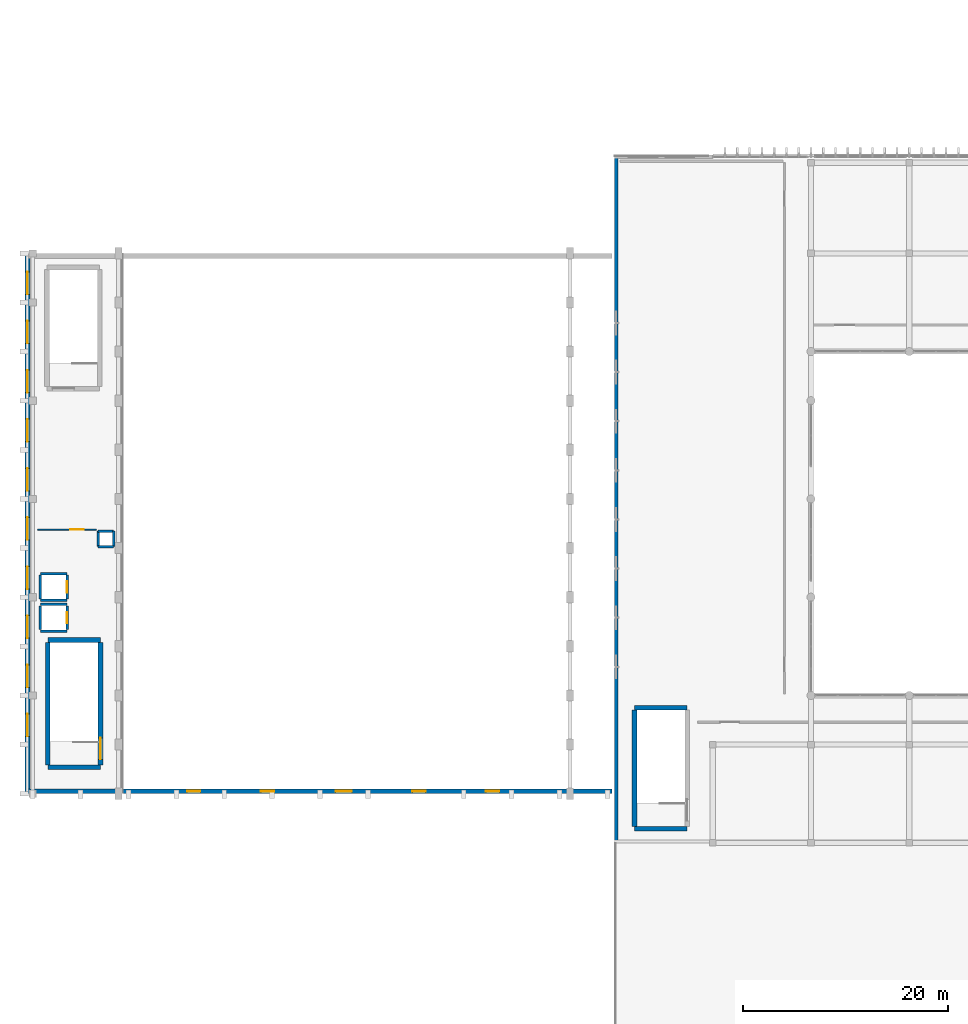
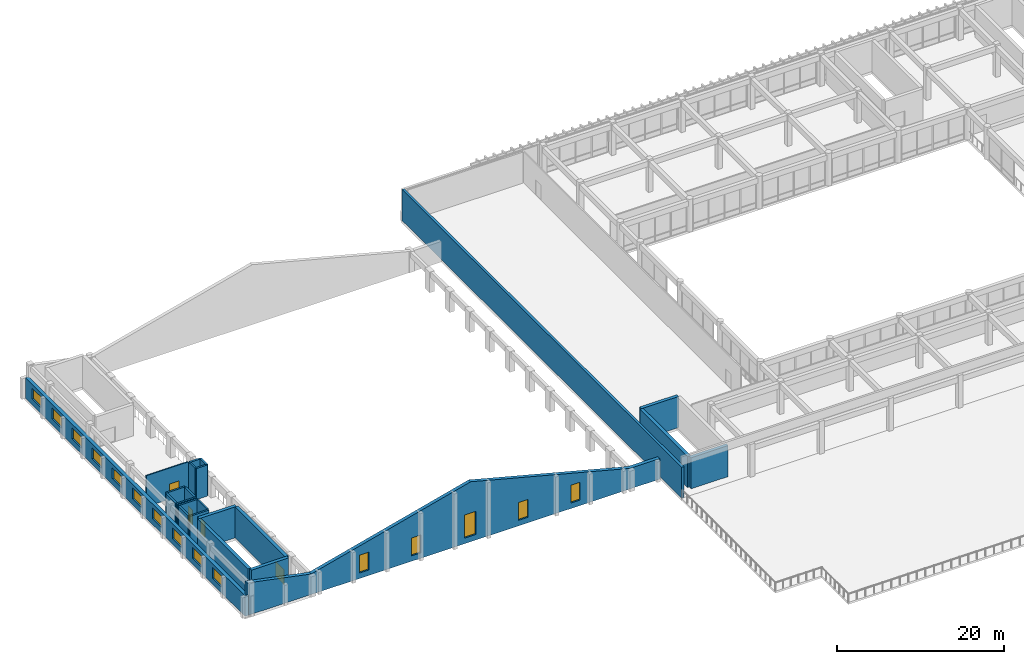
# One storey, part 72 of 101: 23 walls, 15 windows, 4 doors, 19 openings.
"""IFC4 building model written with IfcOpenShell, lengths in metres."""

from ifc_helpers import new_model, si_unit, direction, frame, frame_2d, origin, place, context, subcontext, project, spatial, polyline, rectangle, outline, extrude, material, layer, layer_set, type_object, element, fill, save


model = new_model("IFC4")

# Units and contexts
model_context = context("Model", 3, precision=1e-05, world=origin(), true_north=direction((0.0, 1.0)))
body_context = subcontext(model_context, "Body", "Model", "MODEL_VIEW")
ifc_project = project(units=[si_unit("LENGTHUNIT", "METRE"), si_unit("AREAUNIT", "SQUARE_METRE"), si_unit("VOLUMEUNIT", "CUBIC_METRE"), si_unit("PLANEANGLEUNIT", "RADIAN"), si_unit("MASSUNIT", "GRAM", prefix="KILO")], contexts=[model_context])

# Site, building, storey
site_placement = place(None, origin())
site = spatial("IfcSite", under=ifc_project, at=site_placement, CompositionType="ELEMENT")
building_placement = place(site_placement, origin())
building = spatial("IfcBuilding", under=site, at=building_placement, Name="Nakhvara Creek Congress Hotel", CompositionType="ELEMENT")
storey_placement = place(building_placement, frame((0.0, 0.0, 16.199951171875)))
storey = spatial("IfcBuildingStorey", under=building, at=storey_placement, Name="L03", CompositionType="ELEMENT", Elevation=16.199951171875)

# Wall, opening, door
ifc_material_1 = material(Name="Moisture-resistant blockwork and plaster", Category="masonry")
ifc_layer_1 = layer(ifc_material_1, 0.159912109375)
ifc_layer_set_1 = layer_set([ifc_layer_1], Name="Moisture-resistant blockwork and plaster")
wall_type_1 = type_object("IfcWallType", Name="W-BOH-160", PredefinedType="PARTITIONING", material=ifc_layer_set_1)
wall_1_placement = place(storey_placement, frame((1.199951171875, 59.39990234375, 0.0), z_axis=(0.0, 0.0, 1.0), x_axis=(1.0, 0.0, 0.0)))
wall_1 = element("IfcWall", 1, at=wall_1_placement, inside=storey, type_object=wall_type_1, Name="Interior Wall WP14-IW-L03-0215", PredefinedType="PARTITIONING", context=body_context, shape_type="SweptSolid", body=[
    extrude(rectangle(XDim=5.800048828125, YDim=0.159912109375, at=frame_2d((2.89990234375, 0.0))), origin(), (0.0, 0.0, 1.0), 4.5400390625),
])
opening_1_placement = place(wall_1_placement, frame((3.199951171875, 0.0, 0.0)))
opening_1 = element("IfcOpeningElement", 2, at=opening_1_placement, cuts=wall_1, Name="Opening ID05", PredefinedType="OPENING", context=body_context, shape_type="SweptSolid", body=[
    extrude(rectangle(XDim=1.35009765625, YDim=2.199951171875, at=frame_2d((0.675048828125, 1.10009765625))), frame((0.0, 0.091796875, 0.0), z_axis=(0.0, -1.0, 0.0), x_axis=(1.0, 0.0, 0.0)), (0.0, 0.0, 1.0), 0.183837890625),
])
ifc_material_2 = material(Name="Brushed stainless-clad BOH door")
door_type_1 = type_object("IfcDoorType", Name="DT-BOH-135", OperationType="NOTDEFINED", PredefinedType="DOOR", material=ifc_material_2)
door_1_placement = place(opening_1_placement, frame((1.35009765625, 0.0, 0.0), z_axis=(0.0, 0.0, 1.0), x_axis=(-1.0, 0.0, 0.0)))
door_1 = element("IfcDoor", 3, at=door_1_placement, inside=storey, type_object=door_type_1, Name="Interior Door ID05-0195", OperationType="SINGLE_SWING_RIGHT", OverallHeight=2.199951171875, OverallWidth=1.35009765625, PredefinedType="DOOR", context=body_context, shape_type="SweptSolid", body=[
    extrude(rectangle(XDim=1.35009765625, YDim=2.199951171875, at=frame_2d((0.675048828125, 1.10009765625))), frame((0.0, 0.02490234375, 0.0), z_axis=(0.0, -1.0, 0.0), x_axis=(1.0, 0.0, 0.0)), (0.0, 0.0, 1.0), 0.050048828125),
])
fill(opening_1, door_1)

# Walls
ifc_material_3 = material(Name="Concrete C50/60", Category="concrete")
ifc_layer_2 = layer(ifc_material_3, 0.449951171875)
ifc_layer_set_2 = layer_set([ifc_layer_2], Name="Concrete C50/60")
wall_type_2 = type_object("IfcWallType", Name="W-CORE-450", PredefinedType="SHEAR", material=ifc_layer_set_2)
for number, where, z_axis, x_axis, name in (
    (4, (2.22998046875, 36.179931640625, 0.0), (0.0, 0.0, 1.0), (1.0, 0.0, 0.0), "Core Shear Wall WS02-CWALL-L03-0769"),
    (5, (2.22998046875, 48.6201171875, 0.0), (0.0, 0.0, 1.0), (1.0, 0.0, 0.0), "Core Shear Wall WS02-CWALL-L03-0770"),
):
    element("IfcWall", number, at=place(storey_placement, frame(where, z_axis=z_axis, x_axis=x_axis)), inside=storey, type_object=wall_type_2, Name=name, PredefinedType="SHEAR", context=body_context, shape_type="SweptSolid", body=[
        extrude(rectangle(XDim=5.14990234375, YDim=0.449951171875, at=frame_2d((2.574951171875, 0.0))), origin(), (0.0, 0.0, 1.0), 4.5400390625),
    ])
wall_2_placement = place(storey_placement, frame((2.22998046875, 36.39990234375, 0.0), z_axis=(0.0, 0.0, 1.0), x_axis=(0.0, 1.0, 0.0)))
element("IfcWall", 6, at=wall_2_placement, inside=storey, type_object=wall_type_2, Name="Core Shear Wall WS02-CWALL-L03-0771", PredefinedType="SHEAR", context=body_context, shape_type="SweptSolid", body=[
    extrude(rectangle(XDim=12.0, YDim=0.449951171875, at=frame_2d((6.0, 0.0))), origin(), (0.0, 0.0, 1.0), 4.5400390625),
])

# Wall, opening, door
wall_3_placement = place(storey_placement, frame((7.3798828125, 36.39990234375, 0.0), z_axis=(0.0, 0.0, 1.0), x_axis=(0.0, 1.0, 0.0)))
wall_3 = element("IfcWall", 7, at=wall_3_placement, inside=storey, type_object=wall_type_2, Name="Core Shear Wall WS02-CWALL-L03-0772", PredefinedType="SHEAR", context=body_context, shape_type="SweptSolid", body=[
    extrude(rectangle(XDim=12.0, YDim=0.449951171875, at=frame_2d((6.0, 0.0))), origin(), (0.0, 0.0, 1.0), 4.5400390625),
])
opening_2_placement = place(wall_3_placement, frame((0.550048828125, 0.0, 0.0)))
opening_2 = element("IfcOpeningElement", 8, at=opening_2_placement, cuts=wall_3, Name="Opening FD19", PredefinedType="OPENING", context=body_context, shape_type="SweptSolid", body=[
    extrude(rectangle(XDim=2.10009765625, YDim=2.199951171875, at=frame_2d((1.050048828125, 1.10009765625))), frame((0.0, 0.23681640625, 0.0), z_axis=(0.0, -1.0, 0.0), x_axis=(1.0, 0.0, 0.0)), (0.0, 0.0, 1.0), 0.473876953125),
])
ifc_material_4 = material(Name="Galvanised steel acoustic fire door", Category="steel")
door_type_2 = type_object("IfcDoorType", Name="DT-STAIR-220", OperationType="DOUBLE_DOOR_SINGLE_SWING", PredefinedType="DOOR", material=ifc_material_4)
door_2_placement = place(opening_2_placement, frame((2.10009765625, 0.0, 0.0), z_axis=(0.0, 0.0, 1.0), x_axis=(-1.0, 0.0, 0.0)))
door_2 = element("IfcDoor", 9, at=door_2_placement, inside=storey, type_object=door_type_2, Name="Stair Exit Door ST05-L03", OperationType="DOUBLE_DOOR_SINGLE_SWING", OverallHeight=2.199951171875, OverallWidth=2.10009765625, PredefinedType="DOOR", context=body_context, shape_type="SweptSolid", body=[
    extrude(rectangle(XDim=2.10009765625, YDim=2.199951171875, at=frame_2d((1.050048828125, 1.10009765625))), frame((0.0, 0.02490234375, 0.0), z_axis=(0.0, -1.0, 0.0), x_axis=(1.0, 0.0, 0.0)), (0.0, 0.0, 1.0), 0.050048828125),
])
fill(opening_2, door_2)

# Walls
for number, where, z_axis, x_axis, name in (
    (10, (59.550048828125, 30.179931640625, 0.0), (0.0, 0.0, 1.0), (1.0, 0.0, 0.0), "Core Shear Wall WS02-CWALL-L03-0999"),
    (11, (59.550048828125, 42.02001953125, 0.0), (0.0, 0.0, 1.0), (1.0, 0.0, 0.0), "Core Shear Wall WS02-CWALL-L03-1000"),
):
    element("IfcWall", number, at=place(storey_placement, frame(where, z_axis=z_axis, x_axis=x_axis)), inside=storey, type_object=wall_type_2, Name=name, PredefinedType="SHEAR", context=body_context, shape_type="SweptSolid", body=[
        extrude(rectangle(XDim=5.14990234375, YDim=0.449951171875, at=frame_2d((2.574951171875, 0.0))), origin(), (0.0, 0.0, 1.0), 4.5400390625),
    ])
wall_4_placement = place(storey_placement, frame((59.550048828125, 30.39990234375, 0.0), z_axis=(0.0, 0.0, 1.0), x_axis=(0.0, 1.0, 0.0)))
element("IfcWall", 12, at=wall_4_placement, inside=storey, type_object=wall_type_2, Name="Core Shear Wall WS02-CWALL-L03-1001", PredefinedType="SHEAR", context=body_context, shape_type="SweptSolid", body=[
    extrude(rectangle(XDim=11.400146484375, YDim=0.449951171875, at=frame_2d((5.7001953125, 0.0))), origin(), (0.0, 0.0, 1.0), 4.5400390625),
])
ifc_material_5 = material(Name="Architectural GRC panel")
ifc_layer_3 = layer(ifc_material_5, 0.0400390625)
ifc_material_6 = material(Name="Mineral wool thermal insulation")
ifc_layer_4 = layer(ifc_material_6, 0.10009765625)
ifc_material_7 = material(Name="Precast concrete C40/50", Category="concrete")
ifc_layer_5 = layer(ifc_material_7, 0.199951171875)
ifc_layer_set_3 = layer_set([ifc_layer_3, ifc_layer_4, ifc_layer_5], Name="Precast concrete C40/50")
wall_type_3 = type_object("IfcWallType", Name="W-EXT-340", PredefinedType="SOLIDWALL", material=ifc_layer_set_3)
wall_5_placement = place(storey_placement, frame((57.77001953125, 28.800048828125, 0.0), z_axis=(0.0, 0.0, 1.0), x_axis=(0.0, 1.0, 0.0)))
element("IfcWall", 13, at=wall_5_placement, inside=storey, type_object=wall_type_3, Name="Exterior Wall WE04-EW-L03-0094", PredefinedType="SOLIDWALL", context=body_context, shape_type="SweptSolid", body=[
    extrude(rectangle(XDim=67.0, YDim=0.340087890625, at=frame_2d((33.5, 0.0))), origin(), (0.0, 0.0, 1.0), 4.5400390625),
])

# Wall, openings, windows
ifc_material_8 = material(Name="Honed pale Omani limestone cladding", Category="masonry")
ifc_layer_6 = layer(ifc_material_8, 0.06005859375)
ifc_layer_7 = layer(ifc_material_6, 0.1201171875)
ifc_layer_8 = layer(ifc_material_7, 0.300048828125)
ifc_layer_set_4 = layer_set([ifc_layer_6, ifc_layer_7, ifc_layer_8], Name="Precast concrete C40/50")
wall_type_4 = type_object("IfcWallType", Name="W-HALL-480", PredefinedType="SOLIDWALL", material=ifc_layer_set_4)
wall_6_placement = place(storey_placement, frame((0.239990234375, 33.60009765625, 0.0), z_axis=(0.0, 0.0, 1.0), x_axis=(0.0, 1.0, 0.0)))
wall_6 = element("IfcWall", 14, at=wall_6_placement, inside=storey, type_object=wall_type_4, Name="Exterior Wall WE01-EW-L03-0087", PredefinedType="SOLIDWALL", context=body_context, shape_type="SweptSolid", body=[
    extrude(rectangle(XDim=52.599853515625, YDim=0.47998046875, at=frame_2d((26.2998046875, 0.0))), origin(), (0.0, 0.0, 1.0), 3.0),
])
opening_3_placement = place(wall_6_placement, frame((5.60009765625, 0.0, 0.85009765625)))
opening_3 = element("IfcOpeningElement", 15, at=opening_3_placement, cuts=wall_6, Name="Opening WN0088", PredefinedType="OPENING", context=body_context, shape_type="SweptSolid", body=[
    extrude(rectangle(XDim=2.199951171875, YDim=1.60009765625, at=frame_2d((1.10009765625, 0.800048828125))), frame((0.0, 0.251953125, 0.0), z_axis=(0.0, -1.0, 0.0), x_axis=(1.0, 0.0, 0.0)), (0.0, 0.0, 1.0), 0.50390625),
])
opening_4_placement = place(wall_6_placement, frame((10.39990234375, 0.0, 0.85009765625)))
opening_4 = element("IfcOpeningElement", 16, at=opening_4_placement, cuts=wall_6, Name="Opening WN0089", PredefinedType="OPENING", context=body_context, shape_type="SweptSolid", body=[
    extrude(rectangle(XDim=2.199951171875, YDim=1.60009765625, at=frame_2d((1.10009765625, 0.800048828125))), frame((0.0, 0.251953125, 0.0), z_axis=(0.0, -1.0, 0.0), x_axis=(1.0, 0.0, 0.0)), (0.0, 0.0, 1.0), 0.50390625),
])
opening_5_placement = place(wall_6_placement, frame((15.199951171875, 0.0, 0.85009765625)))
opening_5 = element("IfcOpeningElement", 17, at=opening_5_placement, cuts=wall_6, Name="Opening WN0090", PredefinedType="OPENING", context=body_context, shape_type="SweptSolid", body=[
    extrude(rectangle(XDim=2.199951171875, YDim=1.60009765625, at=frame_2d((1.10009765625, 0.800048828125))), frame((0.0, 0.251953125, 0.0), z_axis=(0.0, -1.0, 0.0), x_axis=(1.0, 0.0, 0.0)), (0.0, 0.0, 1.0), 0.50390625),
])
opening_6_placement = place(wall_6_placement, frame((20.0, 0.0, 0.85009765625)))
opening_6 = element("IfcOpeningElement", 18, at=opening_6_placement, cuts=wall_6, Name="Opening WN0091", PredefinedType="OPENING", context=body_context, shape_type="SweptSolid", body=[
    extrude(rectangle(XDim=2.199951171875, YDim=1.60009765625, at=frame_2d((1.10009765625, 0.800048828125))), frame((0.0, 0.251953125, 0.0), z_axis=(0.0, -1.0, 0.0), x_axis=(1.0, 0.0, 0.0)), (0.0, 0.0, 1.0), 0.50390625),
])
opening_7_placement = place(wall_6_placement, frame((24.800048828125, 0.0, 0.85009765625)))
opening_7 = element("IfcOpeningElement", 19, at=opening_7_placement, cuts=wall_6, Name="Opening WN0092", PredefinedType="OPENING", context=body_context, shape_type="SweptSolid", body=[
    extrude(rectangle(XDim=2.199951171875, YDim=1.60009765625, at=frame_2d((1.10009765625, 0.800048828125))), frame((0.0, 0.251953125, 0.0), z_axis=(0.0, -1.0, 0.0), x_axis=(1.0, 0.0, 0.0)), (0.0, 0.0, 1.0), 0.50390625),
])
opening_8_placement = place(wall_6_placement, frame((29.60009765625, 0.0, 0.85009765625)))
opening_8 = element("IfcOpeningElement", 20, at=opening_8_placement, cuts=wall_6, Name="Opening WN0093", PredefinedType="OPENING", context=body_context, shape_type="SweptSolid", body=[
    extrude(rectangle(XDim=2.199951171875, YDim=1.60009765625, at=frame_2d((1.10009765625, 0.800048828125))), frame((0.0, 0.251953125, 0.0), z_axis=(0.0, -1.0, 0.0), x_axis=(1.0, 0.0, 0.0)), (0.0, 0.0, 1.0), 0.50390625),
])
opening_9_placement = place(wall_6_placement, frame((34.39990234375, 0.0, 0.85009765625)))
opening_9 = element("IfcOpeningElement", 21, at=opening_9_placement, cuts=wall_6, Name="Opening WN0094", PredefinedType="OPENING", context=body_context, shape_type="SweptSolid", body=[
    extrude(rectangle(XDim=2.199951171875, YDim=1.60009765625, at=frame_2d((1.10009765625, 0.800048828125))), frame((0.0, 0.251953125, 0.0), z_axis=(0.0, -1.0, 0.0), x_axis=(1.0, 0.0, 0.0)), (0.0, 0.0, 1.0), 0.50390625),
])
opening_10_placement = place(wall_6_placement, frame((39.199951171875, 0.0, 0.85009765625)))
opening_10 = element("IfcOpeningElement", 22, at=opening_10_placement, cuts=wall_6, Name="Opening WN0095", PredefinedType="OPENING", context=body_context, shape_type="SweptSolid", body=[
    extrude(rectangle(XDim=2.199951171875, YDim=1.60009765625, at=frame_2d((1.10009765625, 0.800048828125))), frame((0.0, 0.251953125, 0.0), z_axis=(0.0, -1.0, 0.0), x_axis=(1.0, 0.0, 0.0)), (0.0, 0.0, 1.0), 0.50390625),
])
opening_11_placement = place(wall_6_placement, frame((44.0, 0.0, 0.85009765625)))
opening_11 = element("IfcOpeningElement", 23, at=opening_11_placement, cuts=wall_6, Name="Opening WN0096", PredefinedType="OPENING", context=body_context, shape_type="SweptSolid", body=[
    extrude(rectangle(XDim=2.199951171875, YDim=1.60009765625, at=frame_2d((1.10009765625, 0.800048828125))), frame((0.0, 0.251953125, 0.0), z_axis=(0.0, -1.0, 0.0), x_axis=(1.0, 0.0, 0.0)), (0.0, 0.0, 1.0), 0.50390625),
])
opening_12_placement = place(wall_6_placement, frame((48.800048828125, 0.0, 0.85009765625)))
opening_12 = element("IfcOpeningElement", 24, at=opening_12_placement, cuts=wall_6, Name="Opening WN0097", PredefinedType="OPENING", context=body_context, shape_type="SweptSolid", body=[
    extrude(rectangle(XDim=2.199951171875, YDim=1.60009765625, at=frame_2d((1.10009765625, 0.800048828125))), frame((0.0, 0.251953125, 0.0), z_axis=(0.0, -1.0, 0.0), x_axis=(1.0, 0.0, 0.0)), (0.0, 0.0, 1.0), 0.50390625),
])
ifc_material_9 = material(Name="Thermally broken bronze-anodised aluminium and double-silver low-E insulated glass", Category="aluminium")
window_type_1 = type_object("IfcWindowType", Name="WN-CLR-220X160", PartitioningType="SINGLE_PANEL", PredefinedType="WINDOW", material=ifc_material_9)
window_1_placement = place(opening_3_placement, origin())
window_1 = element("IfcWindow", 25, at=window_1_placement, inside=storey, type_object=window_type_1, Name="Facade Window WN0088", OverallHeight=1.60009765625, OverallWidth=2.199951171875, PartitioningType="SINGLE_PANEL", PredefinedType="WINDOW", context=body_context, shape_type="SweptSolid", body=[
    extrude(rectangle(XDim=2.199951171875, YDim=1.60009765625, at=frame_2d((1.10009765625, 0.800048828125))), frame((0.0, 0.030029296875, 0.0), z_axis=(0.0, -1.0, 0.0), x_axis=(1.0, 0.0, 0.0)), (0.0, 0.0, 1.0), 0.06005859375),
])
fill(opening_3, window_1)
window_2_placement = place(opening_4_placement, origin())
window_2 = element("IfcWindow", 26, at=window_2_placement, inside=storey, type_object=window_type_1, Name="Facade Window WN0089", OverallHeight=1.60009765625, OverallWidth=2.199951171875, PartitioningType="SINGLE_PANEL", PredefinedType="WINDOW", context=body_context, shape_type="SweptSolid", body=[
    extrude(rectangle(XDim=2.199951171875, YDim=1.60009765625, at=frame_2d((1.10009765625, 0.800048828125))), frame((0.0, 0.030029296875, 0.0), z_axis=(0.0, -1.0, 0.0), x_axis=(1.0, 0.0, 0.0)), (0.0, 0.0, 1.0), 0.06005859375),
])
fill(opening_4, window_2)
window_3_placement = place(opening_5_placement, origin())
window_3 = element("IfcWindow", 27, at=window_3_placement, inside=storey, type_object=window_type_1, Name="Facade Window WN0090", OverallHeight=1.60009765625, OverallWidth=2.199951171875, PartitioningType="SINGLE_PANEL", PredefinedType="WINDOW", context=body_context, shape_type="SweptSolid", body=[
    extrude(rectangle(XDim=2.199951171875, YDim=1.60009765625, at=frame_2d((1.10009765625, 0.800048828125))), frame((0.0, 0.030029296875, 0.0), z_axis=(0.0, -1.0, 0.0), x_axis=(1.0, 0.0, 0.0)), (0.0, 0.0, 1.0), 0.06005859375),
])
fill(opening_5, window_3)
window_4_placement = place(opening_6_placement, origin())
window_4 = element("IfcWindow", 28, at=window_4_placement, inside=storey, type_object=window_type_1, Name="Facade Window WN0091", OverallHeight=1.60009765625, OverallWidth=2.199951171875, PartitioningType="SINGLE_PANEL", PredefinedType="WINDOW", context=body_context, shape_type="SweptSolid", body=[
    extrude(rectangle(XDim=2.199951171875, YDim=1.60009765625, at=frame_2d((1.10009765625, 0.800048828125))), frame((0.0, 0.030029296875, 0.0), z_axis=(0.0, -1.0, 0.0), x_axis=(1.0, 0.0, 0.0)), (0.0, 0.0, 1.0), 0.06005859375),
])
fill(opening_6, window_4)
window_5_placement = place(opening_7_placement, origin())
window_5 = element("IfcWindow", 29, at=window_5_placement, inside=storey, type_object=window_type_1, Name="Facade Window WN0092", OverallHeight=1.60009765625, OverallWidth=2.199951171875, PartitioningType="SINGLE_PANEL", PredefinedType="WINDOW", context=body_context, shape_type="SweptSolid", body=[
    extrude(rectangle(XDim=2.199951171875, YDim=1.60009765625, at=frame_2d((1.10009765625, 0.800048828125))), frame((0.0, 0.030029296875, 0.0), z_axis=(0.0, -1.0, 0.0), x_axis=(1.0, 0.0, 0.0)), (0.0, 0.0, 1.0), 0.06005859375),
])
fill(opening_7, window_5)
window_6_placement = place(opening_8_placement, origin())
window_6 = element("IfcWindow", 30, at=window_6_placement, inside=storey, type_object=window_type_1, Name="Facade Window WN0093", OverallHeight=1.60009765625, OverallWidth=2.199951171875, PartitioningType="SINGLE_PANEL", PredefinedType="WINDOW", context=body_context, shape_type="SweptSolid", body=[
    extrude(rectangle(XDim=2.199951171875, YDim=1.60009765625, at=frame_2d((1.10009765625, 0.800048828125))), frame((0.0, 0.030029296875, 0.0), z_axis=(0.0, -1.0, 0.0), x_axis=(1.0, 0.0, 0.0)), (0.0, 0.0, 1.0), 0.06005859375),
])
fill(opening_8, window_6)
window_7_placement = place(opening_9_placement, origin())
window_7 = element("IfcWindow", 31, at=window_7_placement, inside=storey, type_object=window_type_1, Name="Facade Window WN0094", OverallHeight=1.60009765625, OverallWidth=2.199951171875, PartitioningType="SINGLE_PANEL", PredefinedType="WINDOW", context=body_context, shape_type="SweptSolid", body=[
    extrude(rectangle(XDim=2.199951171875, YDim=1.60009765625, at=frame_2d((1.10009765625, 0.800048828125))), frame((0.0, 0.030029296875, 0.0), z_axis=(0.0, -1.0, 0.0), x_axis=(1.0, 0.0, 0.0)), (0.0, 0.0, 1.0), 0.06005859375),
])
fill(opening_9, window_7)
window_8_placement = place(opening_10_placement, origin())
window_8 = element("IfcWindow", 32, at=window_8_placement, inside=storey, type_object=window_type_1, Name="Facade Window WN0095", OverallHeight=1.60009765625, OverallWidth=2.199951171875, PartitioningType="SINGLE_PANEL", PredefinedType="WINDOW", context=body_context, shape_type="SweptSolid", body=[
    extrude(rectangle(XDim=2.199951171875, YDim=1.60009765625, at=frame_2d((1.10009765625, 0.800048828125))), frame((0.0, 0.030029296875, 0.0), z_axis=(0.0, -1.0, 0.0), x_axis=(1.0, 0.0, 0.0)), (0.0, 0.0, 1.0), 0.06005859375),
])
fill(opening_10, window_8)
window_9_placement = place(opening_11_placement, origin())
window_9 = element("IfcWindow", 33, at=window_9_placement, inside=storey, type_object=window_type_1, Name="Facade Window WN0096", OverallHeight=1.60009765625, OverallWidth=2.199951171875, PartitioningType="SINGLE_PANEL", PredefinedType="WINDOW", context=body_context, shape_type="SweptSolid", body=[
    extrude(rectangle(XDim=2.199951171875, YDim=1.60009765625, at=frame_2d((1.10009765625, 0.800048828125))), frame((0.0, 0.030029296875, 0.0), z_axis=(0.0, -1.0, 0.0), x_axis=(1.0, 0.0, 0.0)), (0.0, 0.0, 1.0), 0.06005859375),
])
fill(opening_11, window_9)
window_10_placement = place(opening_12_placement, origin())
window_10 = element("IfcWindow", 34, at=window_10_placement, inside=storey, type_object=window_type_1, Name="Facade Window WN0097", OverallHeight=1.60009765625, OverallWidth=2.199951171875, PartitioningType="SINGLE_PANEL", PredefinedType="WINDOW", context=body_context, shape_type="SweptSolid", body=[
    extrude(rectangle(XDim=2.199951171875, YDim=1.60009765625, at=frame_2d((1.10009765625, 0.800048828125))), frame((0.0, 0.030029296875, 0.0), z_axis=(0.0, -1.0, 0.0), x_axis=(1.0, 0.0, 0.0)), (0.0, 0.0, 1.0), 0.06005859375),
])
fill(opening_12, window_10)

wall_7_placement = place(storey_placement, frame((0.239990234375, 33.840087890625, 0.0), z_axis=(0.0, 0.0, 1.0), x_axis=(1.0, 0.0, 0.0)))
wall_7 = element("IfcWall", 35, at=wall_7_placement, inside=storey, type_object=wall_type_4, Name="Exterior Wall WE01-EW-L03-0088", PredefinedType="SOLIDWALL", context=body_context, shape_type="SweptSolid", body=[
    extrude(outline(polyline([(0.0, 0.0), (57.1201171875, 0.0), (57.1201171875, 3.0), (53.010009765625, 3.0), (30.9599609375, 8.760009765625), (8.909912109375, 3.0), (0.0, 4.800048828125), (0.0, 0.0)])), frame((0.0, 0.239990234375, 0.0), z_axis=(0.0, -1.0, 0.0), x_axis=(1.0, 0.0, 0.0)), (0.0, 0.0, 1.0), 0.47998046875),
])
opening_13_placement = place(wall_7_placement, frame((15.60009765625, 0.0, 0.800048828125)))
opening_13 = element("IfcOpeningElement", 36, at=opening_13_placement, cuts=wall_7, Name="Opening WN0098", PredefinedType="OPENING", context=body_context, shape_type="SweptSolid", body=[
    extrude(rectangle(XDim=1.300048828125, YDim=2.60009765625, at=frame_2d((0.64990234375, 1.300048828125))), frame((0.0, 0.251953125, 0.0), z_axis=(0.0, -1.0, 0.0), x_axis=(1.0, 0.0, 0.0)), (0.0, 0.0, 1.0), 0.50390625),
])
opening_14_placement = place(wall_7_placement, frame((22.800048828125, 0.0, 0.800048828125)))
opening_14 = element("IfcOpeningElement", 37, at=opening_14_placement, cuts=wall_7, Name="Opening WN0099", PredefinedType="OPENING", context=body_context, shape_type="SweptSolid", body=[
    extrude(rectangle(XDim=1.300048828125, YDim=2.60009765625, at=frame_2d((0.64990234375, 1.300048828125))), frame((0.0, 0.251953125, 0.0), z_axis=(0.0, -1.0, 0.0), x_axis=(1.0, 0.0, 0.0)), (0.0, 0.0, 1.0), 0.50390625),
])
opening_15_placement = place(wall_7_placement, frame((30.10009765625, 0.0, 0.800048828125)))
opening_15 = element("IfcOpeningElement", 38, at=opening_15_placement, cuts=wall_7, Name="Opening WN0100", PredefinedType="OPENING", context=body_context, shape_type="SweptSolid", body=[
    extrude(rectangle(XDim=1.60009765625, YDim=3.39990234375, at=frame_2d((0.800048828125, 1.699951171875))), frame((0.0, 0.251953125, 0.0), z_axis=(0.0, -1.0, 0.0), x_axis=(1.0, 0.0, 0.0)), (0.0, 0.0, 1.0), 0.50390625),
])
opening_16_placement = place(wall_7_placement, frame((37.60009765625, 0.0, 0.800048828125)))
opening_16 = element("IfcOpeningElement", 39, at=opening_16_placement, cuts=wall_7, Name="Opening WN0101", PredefinedType="OPENING", context=body_context, shape_type="SweptSolid", body=[
    extrude(rectangle(XDim=1.300048828125, YDim=2.60009765625, at=frame_2d((0.64990234375, 1.300048828125))), frame((0.0, 0.251953125, 0.0), z_axis=(0.0, -1.0, 0.0), x_axis=(1.0, 0.0, 0.0)), (0.0, 0.0, 1.0), 0.50390625),
])
opening_17_placement = place(wall_7_placement, frame((44.800048828125, 0.0, 0.800048828125)))
opening_17 = element("IfcOpeningElement", 40, at=opening_17_placement, cuts=wall_7, Name="Opening WN0102", PredefinedType="OPENING", context=body_context, shape_type="SweptSolid", body=[
    extrude(rectangle(XDim=1.300048828125, YDim=2.60009765625, at=frame_2d((0.64990234375, 1.300048828125))), frame((0.0, 0.251953125, 0.0), z_axis=(0.0, -1.0, 0.0), x_axis=(1.0, 0.0, 0.0)), (0.0, 0.0, 1.0), 0.50390625),
])
window_type_2 = type_object("IfcWindowType", Name="WN-GAB-130X260", PartitioningType="SINGLE_PANEL", PredefinedType="WINDOW", material=ifc_material_9)
window_11_placement = place(opening_13_placement, origin())
window_11 = element("IfcWindow", 41, at=window_11_placement, inside=storey, type_object=window_type_2, Name="Facade Window WN0098", OverallHeight=2.60009765625, OverallWidth=1.300048828125, PartitioningType="SINGLE_PANEL", PredefinedType="WINDOW", context=body_context, shape_type="SweptSolid", body=[
    extrude(rectangle(XDim=1.300048828125, YDim=2.60009765625, at=frame_2d((0.64990234375, 1.300048828125))), frame((0.0, 0.030029296875, 0.0), z_axis=(0.0, -1.0, 0.0), x_axis=(1.0, 0.0, 0.0)), (0.0, 0.0, 1.0), 0.06005859375),
])
fill(opening_13, window_11)
window_12_placement = place(opening_14_placement, origin())
window_12 = element("IfcWindow", 42, at=window_12_placement, inside=storey, type_object=window_type_2, Name="Facade Window WN0099", OverallHeight=2.60009765625, OverallWidth=1.300048828125, PartitioningType="SINGLE_PANEL", PredefinedType="WINDOW", context=body_context, shape_type="SweptSolid", body=[
    extrude(rectangle(XDim=1.300048828125, YDim=2.60009765625, at=frame_2d((0.64990234375, 1.300048828125))), frame((0.0, 0.030029296875, 0.0), z_axis=(0.0, -1.0, 0.0), x_axis=(1.0, 0.0, 0.0)), (0.0, 0.0, 1.0), 0.06005859375),
])
fill(opening_14, window_12)
window_13_placement = place(opening_16_placement, origin())
window_13 = element("IfcWindow", 43, at=window_13_placement, inside=storey, type_object=window_type_2, Name="Facade Window WN0101", OverallHeight=2.60009765625, OverallWidth=1.300048828125, PartitioningType="SINGLE_PANEL", PredefinedType="WINDOW", context=body_context, shape_type="SweptSolid", body=[
    extrude(rectangle(XDim=1.300048828125, YDim=2.60009765625, at=frame_2d((0.64990234375, 1.300048828125))), frame((0.0, 0.030029296875, 0.0), z_axis=(0.0, -1.0, 0.0), x_axis=(1.0, 0.0, 0.0)), (0.0, 0.0, 1.0), 0.06005859375),
])
fill(opening_16, window_13)
window_14_placement = place(opening_17_placement, origin())
window_14 = element("IfcWindow", 44, at=window_14_placement, inside=storey, type_object=window_type_2, Name="Facade Window WN0102", OverallHeight=2.60009765625, OverallWidth=1.300048828125, PartitioningType="SINGLE_PANEL", PredefinedType="WINDOW", context=body_context, shape_type="SweptSolid", body=[
    extrude(rectangle(XDim=1.300048828125, YDim=2.60009765625, at=frame_2d((0.64990234375, 1.300048828125))), frame((0.0, 0.030029296875, 0.0), z_axis=(0.0, -1.0, 0.0), x_axis=(1.0, 0.0, 0.0)), (0.0, 0.0, 1.0), 0.06005859375),
])
fill(opening_17, window_14)
window_type_3 = type_object("IfcWindowType", Name="WN-GAB-160X340", PartitioningType="SINGLE_PANEL", PredefinedType="WINDOW", material=ifc_material_9)
window_15_placement = place(opening_15_placement, origin())
window_15 = element("IfcWindow", 45, at=window_15_placement, inside=storey, type_object=window_type_3, Name="Facade Window WN0100", OverallHeight=3.39990234375, OverallWidth=1.60009765625, PartitioningType="SINGLE_PANEL", PredefinedType="WINDOW", context=body_context, shape_type="SweptSolid", body=[
    extrude(rectangle(XDim=1.60009765625, YDim=3.39990234375, at=frame_2d((0.800048828125, 1.699951171875))), frame((0.0, 0.030029296875, 0.0), z_axis=(0.0, -1.0, 0.0), x_axis=(1.0, 0.0, 0.0)), (0.0, 0.0, 1.0), 0.06005859375),
])
fill(opening_15, window_15)

# Walls
ifc_material_10 = material(Name="Concrete C40/50", Category="concrete")
ifc_layer_9 = layer(ifc_material_10, 0.25)
ifc_layer_set_5 = layer_set([ifc_layer_9], Name="Concrete C40/50")
wall_type_5 = type_object("IfcWallType", Name="W-SHAFT-250", PredefinedType="SOLIDWALL", material=ifc_layer_set_5)
for number, where, z_axis, x_axis, name in (
    (46, (1.489990234375, 49.489990234375, 0.0), (0.0, 0.0, 1.0), (1.0, 0.0, 0.0), "Core Shear Wall WI02-CWALL-L03-0773"),
    (47, (1.489990234375, 52.110107421875, 0.0), (0.0, 0.0, 1.0), (1.0, 0.0, 0.0), "Core Shear Wall WI02-CWALL-L03-0774"),
):
    element("IfcWall", number, at=place(storey_placement, frame(where, z_axis=z_axis, x_axis=x_axis)), inside=storey, type_object=wall_type_5, Name=name, PredefinedType="SOLIDWALL", context=body_context, shape_type="SweptSolid", body=[
        extrude(rectangle(XDim=2.6201171875, YDim=0.25, at=frame_2d((1.31005859375, 0.0))), origin(), (0.0, 0.0, 1.0), 4.5400390625),
    ])
wall_8_placement = place(storey_placement, frame((1.489990234375, 49.64990234375, 0.0), z_axis=(0.0, 0.0, 1.0), x_axis=(0.0, 1.0, 0.0)))
element("IfcWall", 48, at=wall_8_placement, inside=storey, type_object=wall_type_5, Name="Core Shear Wall WI02-CWALL-L03-0775", PredefinedType="SOLIDWALL", context=body_context, shape_type="SweptSolid", body=[
    extrude(rectangle(XDim=2.300048828125, YDim=0.25, at=frame_2d((1.14990234375, 0.0))), origin(), (0.0, 0.0, 1.0), 4.5400390625),
])

# Wall, opening, door
wall_9_placement = place(storey_placement, frame((4.110107421875, 49.64990234375, 0.0), z_axis=(0.0, 0.0, 1.0), x_axis=(0.0, 1.0, 0.0)))
wall_9 = element("IfcWall", 49, at=wall_9_placement, inside=storey, type_object=wall_type_5, Name="Core Shear Wall WI02-CWALL-L03-0776", PredefinedType="SOLIDWALL", context=body_context, shape_type="SweptSolid", body=[
    extrude(rectangle(XDim=2.300048828125, YDim=0.25, at=frame_2d((1.14990234375, 0.0))), origin(), (0.0, 0.0, 1.0), 4.5400390625),
])
opening_18_placement = place(wall_9_placement, frame((0.60009765625, 0.0, 0.0)))
opening_18 = element("IfcOpeningElement", 50, at=opening_18_placement, cuts=wall_9, Name="Opening LD01", PredefinedType="OPENING", context=body_context, shape_type="SweptSolid", body=[
    extrude(rectangle(XDim=1.10009765625, YDim=2.199951171875, at=frame_2d((0.550048828125, 1.10009765625))), frame((0.0, 0.136962890625, 0.0), z_axis=(0.0, -1.0, 0.0), x_axis=(1.0, 0.0, 0.0)), (0.0, 0.0, 1.0), 0.27392578125),
])
ifc_material_11 = material(Name="Brushed stainless steel sliding landing door", Category="steel")
door_type_3 = type_object("IfcDoorType", Name="DT-LIFT-110", OperationType="DOUBLE_DOOR_SLIDING", PredefinedType="DOOR", material=ifc_material_11)
door_3_placement = place(opening_18_placement, origin())
door_3 = element("IfcDoor", 51, at=door_3_placement, inside=storey, type_object=door_type_3, Name="Landing Door CL01-L03", OperationType="SLIDING_TO_LEFT", OverallHeight=2.199951171875, OverallWidth=1.10009765625, PredefinedType="DOOR", context=body_context, shape_type="SweptSolid", body=[
    extrude(rectangle(XDim=1.10009765625, YDim=2.199951171875, at=frame_2d((0.550048828125, 1.10009765625))), frame((0.0, 0.02490234375, 0.0), z_axis=(0.0, -1.0, 0.0), x_axis=(1.0, 0.0, 0.0)), (0.0, 0.0, 1.0), 0.050048828125),
])
fill(opening_18, door_3)

# Walls
for number, where, z_axis, x_axis, name in (
    (52, (1.489990234375, 52.489990234375, 0.0), (0.0, 0.0, 1.0), (1.0, 0.0, 0.0), "Core Shear Wall WI02-CWALL-L03-0777"),
    (53, (1.489990234375, 55.110107421875, 0.0), (0.0, 0.0, 1.0), (1.0, 0.0, 0.0), "Core Shear Wall WI02-CWALL-L03-0778"),
):
    element("IfcWall", number, at=place(storey_placement, frame(where, z_axis=z_axis, x_axis=x_axis)), inside=storey, type_object=wall_type_5, Name=name, PredefinedType="SOLIDWALL", context=body_context, shape_type="SweptSolid", body=[
        extrude(rectangle(XDim=2.6201171875, YDim=0.25, at=frame_2d((1.31005859375, 0.0))), origin(), (0.0, 0.0, 1.0), 4.5400390625),
    ])
wall_10_placement = place(storey_placement, frame((1.489990234375, 52.64990234375, 0.0), z_axis=(0.0, 0.0, 1.0), x_axis=(0.0, 1.0, 0.0)))
element("IfcWall", 54, at=wall_10_placement, inside=storey, type_object=wall_type_5, Name="Core Shear Wall WI02-CWALL-L03-0779", PredefinedType="SOLIDWALL", context=body_context, shape_type="SweptSolid", body=[
    extrude(rectangle(XDim=2.300048828125, YDim=0.25, at=frame_2d((1.14990234375, 0.0))), origin(), (0.0, 0.0, 1.0), 4.5400390625),
])

# Wall, opening, door
wall_11_placement = place(storey_placement, frame((4.110107421875, 52.64990234375, 0.0), z_axis=(0.0, 0.0, 1.0), x_axis=(0.0, 1.0, 0.0)))
wall_11 = element("IfcWall", 55, at=wall_11_placement, inside=storey, type_object=wall_type_5, Name="Core Shear Wall WI02-CWALL-L03-0780", PredefinedType="SOLIDWALL", context=body_context, shape_type="SweptSolid", body=[
    extrude(rectangle(XDim=2.300048828125, YDim=0.25, at=frame_2d((1.14990234375, 0.0))), origin(), (0.0, 0.0, 1.0), 4.5400390625),
])
opening_19_placement = place(wall_11_placement, frame((0.60009765625, 0.0, 0.0)))
opening_19 = element("IfcOpeningElement", 56, at=opening_19_placement, cuts=wall_11, Name="Opening LD01", PredefinedType="OPENING", context=body_context, shape_type="SweptSolid", body=[
    extrude(rectangle(XDim=1.10009765625, YDim=2.199951171875, at=frame_2d((0.550048828125, 1.10009765625))), frame((0.0, 0.136962890625, 0.0), z_axis=(0.0, -1.0, 0.0), x_axis=(1.0, 0.0, 0.0)), (0.0, 0.0, 1.0), 0.27392578125),
])
door_4_placement = place(opening_19_placement, origin())
door_4 = element("IfcDoor", 57, at=door_4_placement, inside=storey, type_object=door_type_3, Name="Landing Door CL02-L03", OperationType="SLIDING_TO_LEFT", OverallHeight=2.199951171875, OverallWidth=1.10009765625, PredefinedType="DOOR", context=body_context, shape_type="SweptSolid", body=[
    extrude(rectangle(XDim=1.10009765625, YDim=2.199951171875, at=frame_2d((0.550048828125, 1.10009765625))), frame((0.0, 0.02490234375, 0.0), z_axis=(0.0, -1.0, 0.0), x_axis=(1.0, 0.0, 0.0)), (0.0, 0.0, 1.0), 0.050048828125),
])
fill(opening_19, door_4)

# Walls
for number, where, z_axis, x_axis, name in (
    (58, (7.139892578125, 57.739990234375, 0.0), (0.0, 0.0, 1.0), (1.0, 0.0, 0.0), "MEP Riser Enclosure Wall L03-028"),
    (59, (8.659912109375, 57.739990234375, 0.0), (0.0, 0.0, 1.0), (0.0, 1.0, 0.0), "MEP Riser Enclosure Wall L03-029"),
    (60, (8.659912109375, 59.260009765625, 0.0), (0.0, 0.0, 1.0), (-1.0, 0.0, 0.0), "MEP Riser Enclosure Wall L03-030"),
    (61, (7.139892578125, 59.260009765625, 0.0), (0.0, 0.0, 1.0), (0.0, -1.0, 0.0), "MEP Riser Enclosure Wall L03-031"),
):
    element("IfcWall", number, at=place(storey_placement, frame(where, z_axis=z_axis, x_axis=x_axis)), inside=storey, type_object=wall_type_5, Name=name, PredefinedType="SOLIDWALL", context=body_context, shape_type="SweptSolid", body=[
        extrude(rectangle(XDim=1.52001953125, YDim=0.25, at=frame_2d((0.760009765625, 0.0))), origin(), (0.0, 0.0, 1.0), 4.5400390625),
    ])

save(model, "model.ifc")
